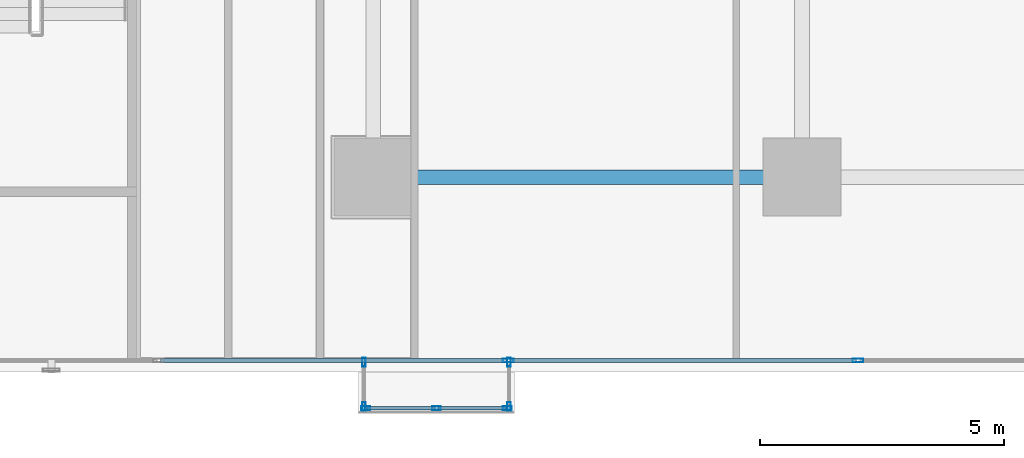
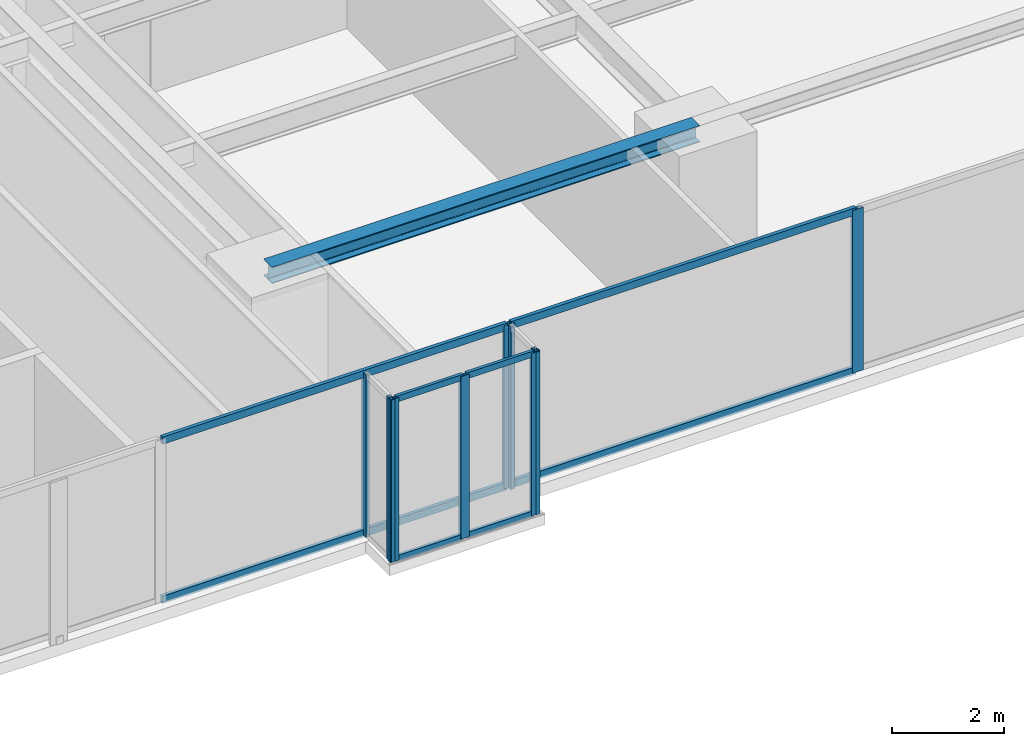
# One storey, part 9 of 28: 17 members, 1 beam, 4 elements without a shape of their own.
"""IFC4 building model written with IfcOpenShell, lengths in metres."""

from ifc_helpers import new_model, si_unit, direction, frame, origin, origin_with_axes, origin_2d, place, context, subcontext, project, spatial, hollow_rectangle, i_section, extrude, source, transform, mapped, material, layer, layer_set, material_profile, profile_set, type_object, element, aggregate, save


model = new_model("IFC4")

# Units and contexts
model_context = context("Model", 3, precision=1e-05, world=origin(), true_north=direction((0.0, 1.0)))
body_context = subcontext(model_context, "Body", "Model", "MODEL_VIEW")
ifc_project = project(units=[si_unit("LENGTHUNIT", "METRE"), si_unit("AREAUNIT", "SQUARE_METRE"), si_unit("VOLUMEUNIT", "CUBIC_METRE"), si_unit("PLANEANGLEUNIT", "RADIAN"), si_unit("MASSUNIT", "GRAM", prefix="KILO")], contexts=[model_context])

# Site, building, storey
site_placement = place(None, origin())
site = spatial("IfcSite", under=ifc_project, at=site_placement, CompositionType="ELEMENT")
building_placement = place(site_placement, origin())
building = spatial("IfcBuilding", under=site, at=building_placement, Name="Kolvaren Waterfront Exchange", CompositionType="ELEMENT")
storey_placement = place(building_placement, frame((0.0, 0.0, 41.0)))
storey = spatial("IfcBuildingStorey", under=building, at=storey_placement, Name="L10", CompositionType="ELEMENT", Elevation=41.0)

# Beam
ifc_material_1 = material(Name="Steel S355", Category="steel")
ifc_material_profile_1 = material_profile(ifc_material_1, i_section(OverallWidth=0.300048828125, OverallDepth=0.360107421875, WebThickness=0.012451171875, FlangeThickness=0.0224609375, FilletRadius=0.027099609375, at=origin_2d()), Name="HEB360")
ifc_profile_set_1 = profile_set([ifc_material_profile_1], Name="Steel S355")
beam_type = type_object("IfcBeamType", Name="STR-BM-HEB360", PredefinedType="SPANDREL", material=ifc_profile_set_1)
beam_placement = place(storey_placement, frame((36.800048828125, 5.199951171875, 3.360107421875), z_axis=(1.0, 0.0, 0.0), x_axis=(0.0, 1.0, 0.0)))
element("IfcBeam", 1, at=beam_placement, inside=storey, type_object=beam_type, Name="L10 east-arm spandrel S3", PredefinedType="SPANDREL", context=body_context, shape_type="SweptSolid", body=[
    extrude(i_section(OverallWidth=0.300048828125, OverallDepth=0.360107421875, WebThickness=0.012451171875, FlangeThickness=0.0224609375, FilletRadius=0.027099609375, at=origin_2d()), origin(), (0.0, 0.0, 1.0), 8.800048828125),
])

# Curtain wall, members
ifc_material_2 = material(Name="Anodised bronze aluminium 6063-T6", Category="aluminium")
ifc_layer_1 = layer(ifc_material_2, 0.219970703125, Name="Anodised bronze aluminium 6063-T6")
ifc_layer_set_1 = layer_set([ifc_layer_1], Name="Anodised bronze aluminium 6063-T6")
curtain_wall_type_1 = type_object("IfcCurtainWallType", Name="ARC-CW-SYS1", PredefinedType="USERDEFINED", material=ifc_layer_set_1)
curtain_wall_1_placement = place(storey_placement, origin())
curtain_wall_1 = element("IfcCurtainWall", 2, at=curtain_wall_1_placement, inside=storey, type_object=curtain_wall_type_1, Name="L10 stick curtain wall CW1 (CW-L10-S)", ObjectType="STICK CURTAIN WALL", PredefinedType="USERDEFINED")
ifc_material_3 = material(Name="Anodised aluminium 6063-T6", Category="aluminium")
ifc_material_profile_2 = material_profile(ifc_material_3, hollow_rectangle(XDim=0.074951171875, YDim=0.159912109375, WallThickness=0.00439453125, at=origin_2d()), Name="ALU-TRN-160x75x4.5")
ifc_profile_set_2 = profile_set([ifc_material_profile_2], Name="Anodised aluminium 6063-T6")
member_type_1 = type_object("IfcMemberType", Name="ARC-CWT-160", PredefinedType="USERDEFINED", material=ifc_profile_set_2)
shared_shape_1 = source(origin_with_axes(), body_context, "Body", "SweptSolid", [
    extrude(hollow_rectangle(XDim=0.074951171875, YDim=0.159912109375, WallThickness=0.00439453125, at=origin_2d()), origin(), (0.0, 0.0, 1.0), 7.094970703125),
])
member_1_placement = place(storey_placement, frame((32.43994140625, 1.43994140625, 0.03759765625), z_axis=(1.0, 0.0, 0.0), x_axis=(0.0, 1.0, 0.0)))
member_1 = element("IfcMember", 3, at=member_1_placement, type_object=member_type_1, Name="CW1 transom 5.1", ObjectType="TRANSOM", PredefinedType="USERDEFINED", context=body_context, shape_type="MappedRepresentation", body=[
    mapped(shared_shape_1, transform((0.0, 0.0, 0.0), x_axis=(1.0, 0.0, 0.0), y_axis=(0.0, 1.0, 0.0), z_axis=(0.0, 0.0, 1.0), scale=1.0)),
])
member_2_placement = place(storey_placement, frame((32.43994140625, 1.43994140625, 3.50244140625), z_axis=(1.0, 0.0, 0.0), x_axis=(0.0, 1.0, 0.0)))
member_2 = element("IfcMember", 4, at=member_2_placement, type_object=member_type_1, Name="CW1 transom 5.2", ObjectType="TRANSOM", PredefinedType="USERDEFINED", context=body_context, shape_type="MappedRepresentation", body=[
    mapped(shared_shape_1, transform((0.0, 0.0, 0.0), x_axis=(1.0, 0.0, 0.0), y_axis=(0.0, 1.0, 0.0), z_axis=(0.0, 0.0, 1.0), scale=1.0)),
])
member_3_placement = place(storey_placement, frame((39.614990234375, 1.43994140625, 0.03759765625), z_axis=(1.0, 0.0, 0.0), x_axis=(0.0, 1.0, 0.0)))
member_3 = element("IfcMember", 5, at=member_3_placement, type_object=member_type_1, Name="CW1 transom 6.1", ObjectType="TRANSOM", PredefinedType="USERDEFINED", context=body_context, shape_type="MappedRepresentation", body=[
    mapped(shared_shape_1, transform((0.0, 0.0, 0.0), x_axis=(1.0, 0.0, 0.0), y_axis=(0.0, 1.0, 0.0), z_axis=(0.0, 0.0, 1.0), scale=1.0)),
])
member_4_placement = place(storey_placement, frame((39.614990234375, 1.43994140625, 3.50244140625), z_axis=(1.0, 0.0, 0.0), x_axis=(0.0, 1.0, 0.0)))
member_4 = element("IfcMember", 6, at=member_4_placement, type_object=member_type_1, Name="CW1 transom 6.2", ObjectType="TRANSOM", PredefinedType="USERDEFINED", context=body_context, shape_type="MappedRepresentation", body=[
    mapped(shared_shape_1, transform((0.0, 0.0, 0.0), x_axis=(1.0, 0.0, 0.0), y_axis=(0.0, 1.0, 0.0), z_axis=(0.0, 0.0, 1.0), scale=1.0)),
])

ifc_layer_2 = layer(ifc_material_2, 0.219970703125, Name="Anodised bronze aluminium 6063-T6")
ifc_layer_set_2 = layer_set([ifc_layer_2], Name="Anodised bronze aluminium 6063-T6")
curtain_wall_type_2 = type_object("IfcCurtainWallType", Name="ARC-CW-SYS3", PredefinedType="USERDEFINED", material=ifc_layer_set_2)
curtain_wall_2_placement = place(storey_placement, origin())
curtain_wall_2 = element("IfcCurtainWall", 7, at=curtain_wall_2_placement, inside=storey, type_object=curtain_wall_type_2, Name="L10 stick curtain wall CW3 (CW-L10-BOX-W)", ObjectType="STICK CURTAIN WALL", PredefinedType="USERDEFINED")
ifc_material_profile_3 = material_profile(ifc_material_2, hollow_rectangle(XDim=0.074951171875, YDim=0.179931640625, WallThickness=0.00439453125, at=origin_2d()), Name="ALU-MUL-180x75x4.5")
ifc_profile_set_3 = profile_set([ifc_material_profile_3], Name="Anodised bronze aluminium 6063-T6")
member_type_2 = type_object("IfcMemberType", Name="ARC-CWM-180", PredefinedType="MULLION", material=ifc_profile_set_3)
shared_shape_2 = source(origin_with_axes(), body_context, "Body", "SweptSolid", [
    extrude(hollow_rectangle(XDim=0.074951171875, YDim=0.179931640625, WallThickness=0.00439453125, at=origin_2d()), origin(), (0.0, 0.0, 1.0), 3.5400390625),
])
member_5_placement = place(storey_placement, frame((36.610107421875, 1.402587890625, 0.0), z_axis=(0.0, 0.0, 1.0), x_axis=(1.0, 0.0, 0.0)))
member_5 = element("IfcMember", 8, at=member_5_placement, type_object=member_type_2, Name="CW3 mullion 1", PredefinedType="MULLION", context=body_context, shape_type="MappedRepresentation", body=[
    mapped(shared_shape_2, transform((0.0, 0.0, 0.0), x_axis=(1.0, 0.0, 0.0), y_axis=(0.0, 1.0, 0.0), z_axis=(0.0, 0.0, 1.0), scale=1.0)),
])
member_6_placement = place(storey_placement, frame((36.610107421875, 0.49755859375, 0.0), z_axis=(0.0, 0.0, 1.0), x_axis=(1.0, 0.0, 0.0)))
member_6 = element("IfcMember", 9, at=member_6_placement, type_object=member_type_2, Name="CW3 mullion 2", PredefinedType="MULLION", context=body_context, shape_type="MappedRepresentation", body=[
    mapped(shared_shape_2, transform((0.0, 0.0, 0.0), x_axis=(1.0, 0.0, 0.0), y_axis=(0.0, 1.0, 0.0), z_axis=(0.0, 0.0, 1.0), scale=1.0)),
])
aggregate(curtain_wall_2, [member_5, member_6])

curtain_wall_3_placement = place(storey_placement, origin())
curtain_wall_3 = element("IfcCurtainWall", 10, at=curtain_wall_3_placement, inside=storey, type_object=curtain_wall_type_2, Name="L10 stick curtain wall CW3 (CW-L10-BOX)", ObjectType="STICK CURTAIN WALL", PredefinedType="USERDEFINED")
member_7_placement = place(storey_placement, frame((36.6474609375, 0.4599609375, 0.0), z_axis=(0.0, 0.0, 1.0), x_axis=(0.0, 1.0, 0.0)))
member_7 = element("IfcMember", 11, at=member_7_placement, type_object=member_type_2, Name="CW3 mullion 1", PredefinedType="MULLION", context=body_context, shape_type="MappedRepresentation", body=[
    mapped(shared_shape_2, transform((0.0, 0.0, 0.0), x_axis=(1.0, 0.0, 0.0), y_axis=(0.0, 1.0, 0.0), z_axis=(0.0, 0.0, 1.0), scale=1.0)),
])
member_8_placement = place(storey_placement, frame((38.10009765625, 0.4599609375, 0.0), z_axis=(0.0, 0.0, 1.0), x_axis=(0.0, 1.0, 0.0)))
member_8 = element("IfcMember", 12, at=member_8_placement, type_object=member_type_2, Name="CW3 mullion 2", PredefinedType="MULLION", context=body_context, shape_type="MappedRepresentation", body=[
    mapped(shared_shape_2, transform((0.0, 0.0, 0.0), x_axis=(1.0, 0.0, 0.0), y_axis=(0.0, 1.0, 0.0), z_axis=(0.0, 0.0, 1.0), scale=1.0)),
])
member_9_placement = place(storey_placement, frame((39.552490234375, 0.4599609375, 0.0), z_axis=(0.0, 0.0, 1.0), x_axis=(0.0, 1.0, 0.0)))
member_9 = element("IfcMember", 13, at=member_9_placement, type_object=member_type_2, Name="CW3 mullion 3", PredefinedType="MULLION", context=body_context, shape_type="MappedRepresentation", body=[
    mapped(shared_shape_2, transform((0.0, 0.0, 0.0), x_axis=(1.0, 0.0, 0.0), y_axis=(0.0, 1.0, 0.0), z_axis=(0.0, 0.0, 1.0), scale=1.0)),
])

curtain_wall_4_placement = place(storey_placement, origin())
curtain_wall_4 = element("IfcCurtainWall", 14, at=curtain_wall_4_placement, inside=storey, type_object=curtain_wall_type_2, Name="L10 stick curtain wall CW3 (CW-L10-BOX-E)", ObjectType="STICK CURTAIN WALL", PredefinedType="USERDEFINED")
member_10_placement = place(storey_placement, frame((39.590087890625, 0.49755859375, 0.0), z_axis=(0.0, 0.0, 1.0), x_axis=(-1.0, 0.0, 0.0)))
member_10 = element("IfcMember", 15, at=member_10_placement, type_object=member_type_2, Name="CW3 mullion 1", PredefinedType="MULLION", context=body_context, shape_type="MappedRepresentation", body=[
    mapped(shared_shape_2, transform((0.0, 0.0, 0.0), x_axis=(1.0, 0.0, 0.0), y_axis=(0.0, 1.0, 0.0), z_axis=(0.0, 0.0, 1.0), scale=1.0)),
])
member_11_placement = place(storey_placement, frame((39.590087890625, 1.402587890625, 0.0), z_axis=(0.0, 0.0, 1.0), x_axis=(-1.0, 0.0, 0.0)))
member_11 = element("IfcMember", 16, at=member_11_placement, type_object=member_type_2, Name="CW3 mullion 2", PredefinedType="MULLION", context=body_context, shape_type="MappedRepresentation", body=[
    mapped(shared_shape_2, transform((0.0, 0.0, 0.0), x_axis=(1.0, 0.0, 0.0), y_axis=(0.0, 1.0, 0.0), z_axis=(0.0, 0.0, 1.0), scale=1.0)),
])
aggregate(curtain_wall_4, [member_10, member_11])

# Member
ifc_material_profile_4 = material_profile(ifc_material_2, hollow_rectangle(XDim=0.06494140625, YDim=0.1298828125, WallThickness=0.00390625, at=origin_2d()), Name="ALU-TRN-130x65x4")
ifc_profile_set_4 = profile_set([ifc_material_profile_4], Name="Anodised bronze aluminium 6063-T6")
member_type_3 = type_object("IfcMemberType", Name="ARC-CWT-130", PredefinedType="USERDEFINED", material=ifc_profile_set_4)
shared_shape_3 = source(origin_with_axes(), body_context, "Body", "SweptSolid", [
    extrude(hollow_rectangle(XDim=0.06494140625, YDim=0.1298828125, WallThickness=0.00390625, at=origin_2d()), origin(), (0.0, 0.0, 1.0), 1.37744140625),
])
member_12_placement = place(storey_placement, frame((36.68505859375, 0.4599609375, 0.032470703125), z_axis=(1.0, 0.0, 0.0), x_axis=(0.0, 1.0, 0.0)))
member_12 = element("IfcMember", 17, at=member_12_placement, type_object=member_type_3, Name="CW3 transom 1.1", ObjectType="TRANSOM", PredefinedType="USERDEFINED", context=body_context, shape_type="MappedRepresentation", body=[
    mapped(shared_shape_3, transform((0.0, 0.0, 0.0), x_axis=(1.0, 0.0, 0.0), y_axis=(0.0, 1.0, 0.0), z_axis=(0.0, 0.0, 1.0), scale=1.0)),
])

member_13_placement = place(storey_placement, frame((36.68505859375, 0.4599609375, 3.507568359375), z_axis=(1.0, 0.0, 0.0), x_axis=(0.0, 1.0, 0.0)))
member_13 = element("IfcMember", 18, at=member_13_placement, type_object=member_type_3, Name="CW3 transom 1.2", ObjectType="TRANSOM", PredefinedType="USERDEFINED", context=body_context, shape_type="MappedRepresentation", body=[
    mapped(shared_shape_3, transform((0.0, 0.0, 0.0), x_axis=(1.0, 0.0, 0.0), y_axis=(0.0, 1.0, 0.0), z_axis=(0.0, 0.0, 1.0), scale=1.0)),
])

member_14_placement = place(storey_placement, frame((38.137451171875, 0.4599609375, 0.032470703125), z_axis=(1.0, 0.0, 0.0), x_axis=(0.0, 1.0, 0.0)))
member_14 = element("IfcMember", 19, at=member_14_placement, type_object=member_type_3, Name="CW3 transom 2.1", ObjectType="TRANSOM", PredefinedType="USERDEFINED", context=body_context, shape_type="MappedRepresentation", body=[
    mapped(shared_shape_3, transform((0.0, 0.0, 0.0), x_axis=(1.0, 0.0, 0.0), y_axis=(0.0, 1.0, 0.0), z_axis=(0.0, 0.0, 1.0), scale=1.0)),
])

member_15_placement = place(storey_placement, frame((38.137451171875, 0.4599609375, 3.507568359375), z_axis=(1.0, 0.0, 0.0), x_axis=(0.0, 1.0, 0.0)))
member_15 = element("IfcMember", 20, at=member_15_placement, type_object=member_type_3, Name="CW3 transom 2.2", ObjectType="TRANSOM", PredefinedType="USERDEFINED", context=body_context, shape_type="MappedRepresentation", body=[
    mapped(shared_shape_3, transform((0.0, 0.0, 0.0), x_axis=(1.0, 0.0, 0.0), y_axis=(0.0, 1.0, 0.0), z_axis=(0.0, 0.0, 1.0), scale=1.0)),
])

aggregate(curtain_wall_3, [member_7, member_8, member_9, member_12, member_13, member_14, member_15])

ifc_material_profile_5 = material_profile(ifc_material_3, hollow_rectangle(XDim=0.080078125, YDim=0.219970703125, WallThickness=0.0048828125, at=origin_2d()), Name="ALU-MUL-220x80x5")
ifc_profile_set_5 = profile_set([ifc_material_profile_5], Name="Anodised aluminium 6063-T6")
member_type_4 = type_object("IfcMemberType", Name="ARC-CWM-220", PredefinedType="MULLION", material=ifc_profile_set_5)
shared_shape_4 = source(origin_with_axes(), body_context, "Body", "SweptSolid", [
    extrude(hollow_rectangle(XDim=0.080078125, YDim=0.219970703125, WallThickness=0.0048828125, at=origin_2d()), origin(), (0.0, 0.0, 1.0), 3.5400390625),
])
member_16_placement = place(storey_placement, frame((39.574951171875, 1.43994140625, 0.0), z_axis=(0.0, 0.0, 1.0), x_axis=(0.0, 1.0, 0.0)))
member_16 = element("IfcMember", 21, at=member_16_placement, type_object=member_type_4, Name="CW1 mullion 6", PredefinedType="MULLION", context=body_context, shape_type="MappedRepresentation", body=[
    mapped(shared_shape_4, transform((0.0, 0.0, 0.0), x_axis=(1.0, 0.0, 0.0), y_axis=(0.0, 1.0, 0.0), z_axis=(0.0, 0.0, 1.0), scale=1.0)),
])

member_17_placement = place(storey_placement, frame((46.75, 1.43994140625, 0.0), z_axis=(0.0, 0.0, 1.0), x_axis=(0.0, 1.0, 0.0)))
member_17 = element("IfcMember", 22, at=member_17_placement, type_object=member_type_4, Name="CW1 mullion 7", PredefinedType="MULLION", context=body_context, shape_type="MappedRepresentation", body=[
    mapped(shared_shape_4, transform((0.0, 0.0, 0.0), x_axis=(1.0, 0.0, 0.0), y_axis=(0.0, 1.0, 0.0), z_axis=(0.0, 0.0, 1.0), scale=1.0)),
])

aggregate(curtain_wall_1, [member_16, member_17, member_1, member_2, member_3, member_4])

save(model, "model.ifc")
